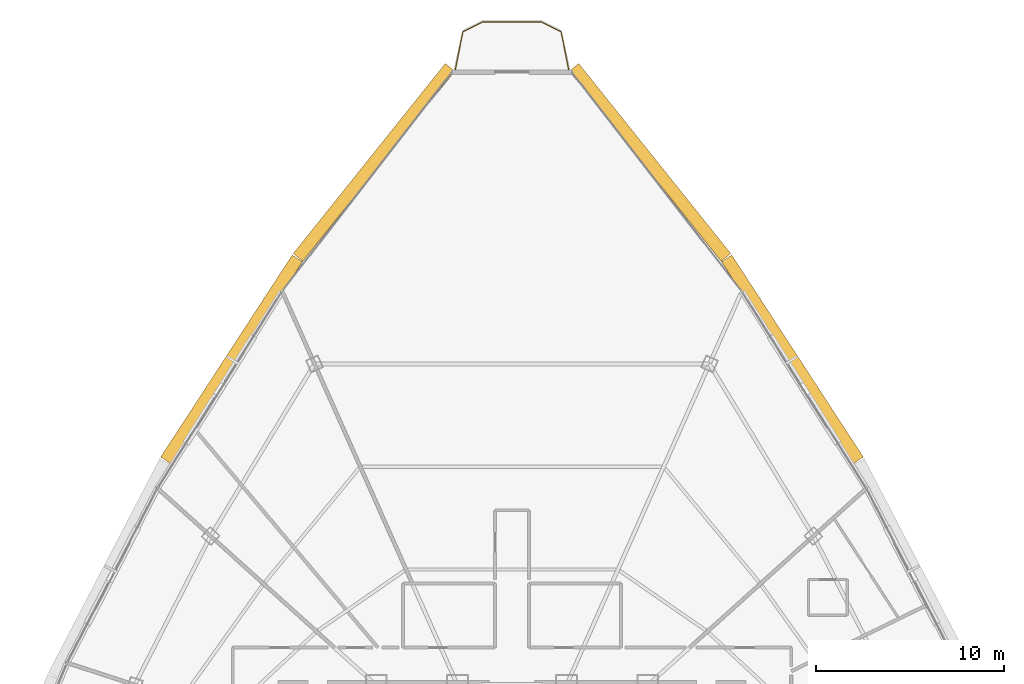
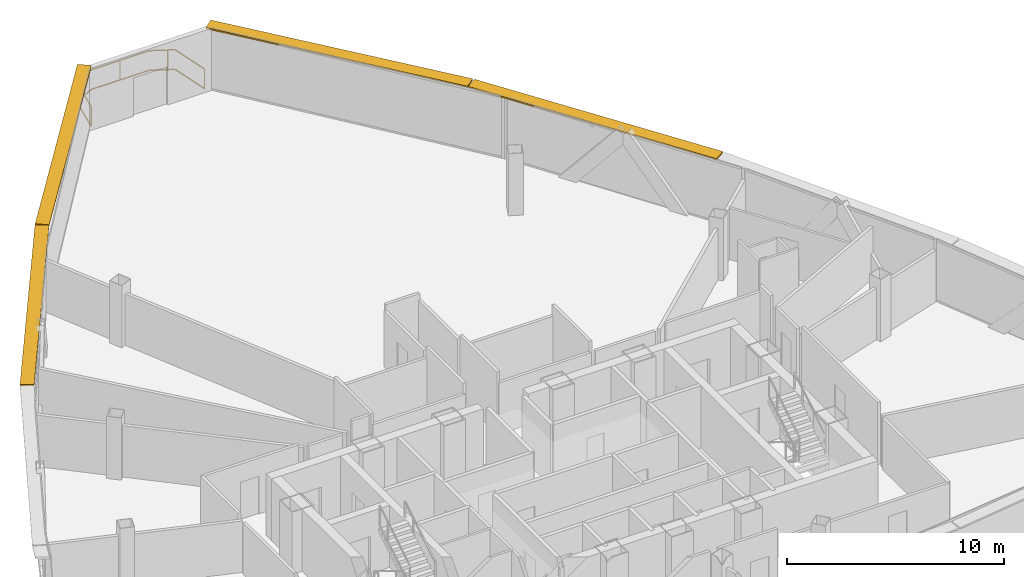
# One storey, part 33 of 33: 4 shading devices, 1 railing.
"""IFC4 building model written with IfcOpenShell, lengths in metres."""

import ifcopenshell
import ifcopenshell.guid

model = None  # the IFC model being written
_history = None  # IfcOwnerHistory: only IFC2X3 demands one
_inside = {}  # id of a spatial element -> (the spatial element, [elements in it])
_under = {}  # id of a project, library or spatial element -> (it, [spatial elements below it])
_declared = {}  # id of a project -> (the project, [libraries it declares])
_typed = {}  # id of a type object -> (the type object, [elements of that type])
_made_of = {}  # id of a material, layer set ... -> (it, [elements and type objects made of it])


def new_model(schema):
    """Start an empty IFC model of exactly this schema.

    Asked for "IFC4X3", IfcOpenShell would pick the latest addendum, in which some entities
    have other attributes; the version numbers below select the first issue.
    IFC2X3 requires an IfcOwnerHistory on every rooted entity: one is made here for all.
    """
    global model, _history
    if schema == "IFC4X3":
        model = ifcopenshell.file(schema_version=(4, 3, 0, 0))
    else:
        model = ifcopenshell.file(schema=schema)
    _inside.clear()
    _under.clear()
    _declared.clear()
    _typed.clear()
    _made_of.clear()
    _history = None
    if model.schema == "IFC2X3":
        org = make("IfcOrganization", Name="unknown")
        user = make(
            "IfcPersonAndOrganization",
            ThePerson=make("IfcPerson", FamilyName="unknown"),
            TheOrganization=org,
        )
        app = make(
            "IfcApplication",
            ApplicationDeveloper=org,
            Version="unknown",
            ApplicationFullName="unknown",
            ApplicationIdentifier="unknown",
        )
        _history = make(
            "IfcOwnerHistory",
            OwningUser=user,
            OwningApplication=app,
            ChangeAction="ADDED",
            CreationDate=0,
        )
    return model


def make(cls, **values):
    """One entity of the class cls with the attributes given. An attribute that is None is left unset."""
    return model.create_entity(
        cls, **{name: value for name, value in values.items() if value is not None}
    )


def rooted(cls, **values):
    """An entity with a GlobalId (a new one), such as an element, a storey or a relation."""
    return make(cls, GlobalId=ifcopenshell.guid.new(), OwnerHistory=_history, **values)


def si_unit(unit_type, name, prefix=None):
    """IfcSIUnit, for example si_unit("LENGTHUNIT", "METRE", prefix="MILLI")."""
    return make("IfcSIUnit", UnitType=unit_type, Prefix=prefix, Name=name)


def assignment(units):
    """IfcUnitAssignment: the units of a project."""
    return None if units is None else make("IfcUnitAssignment", Units=units)


def point(xyz):
    """IfcCartesianPoint."""
    return None if xyz is None else make("IfcCartesianPoint", Coordinates=xyz)


def direction(xyz):
    """IfcDirection."""
    return None if xyz is None else make("IfcDirection", DirectionRatios=xyz)


def frame(location, z_axis=None, x_axis=None):
    """IfcAxis2Placement3D, a coordinate frame: its origin and axes. An axis left out is left unset."""
    return make(
        "IfcAxis2Placement3D",
        Location=point(location),
        Axis=direction(z_axis),
        RefDirection=direction(x_axis),
    )


def frame_2d(location, x_axis=None):
    """IfcAxis2Placement2D, a coordinate frame in the plane: its origin and x axis."""
    return make(
        "IfcAxis2Placement2D", Location=point(location), RefDirection=direction(x_axis)
    )


def origin():
    """The frame at (0, 0, 0) with its axes left unset."""
    return frame((0.0, 0.0, 0.0))


def origin_2d():
    """The frame at (0, 0) in the plane with its x axis left unset."""
    return frame_2d((0.0, 0.0))


def place(relative_to, where):
    """IfcLocalPlacement: puts the frame where relative to a parent placement (None: the world)."""
    return make(
        "IfcLocalPlacement", PlacementRelTo=relative_to, RelativePlacement=where
    )


def context(
    kind, dimensions, precision=None, world=None, true_north=None, identifier=None
):
    """IfcGeometricRepresentationContext, for example the 3D "Model" context."""
    return make(
        "IfcGeometricRepresentationContext",
        ContextIdentifier=identifier,
        ContextType=kind,
        CoordinateSpaceDimension=dimensions,
        Precision=precision,
        WorldCoordinateSystem=world,
        TrueNorth=true_north,
    )


def subcontext(parent, identifier, kind, view, scale=None):
    """IfcGeometricRepresentationSubContext, for example "Body" below "Model"."""
    return make(
        "IfcGeometricRepresentationSubContext",
        ContextIdentifier=identifier,
        ContextType=kind,
        ParentContext=parent,
        TargetScale=scale,
        TargetView=view,
    )


def project(units=None, contexts=None):
    """IfcProject with its units and contexts."""
    return rooted(
        "IfcProject",
        Name="project",
        RepresentationContexts=contexts,
        UnitsInContext=assignment(units),
    )


def spatial(cls, under=None, at=None, **own):
    """A site, building, storey or space (cls), placed at a placement, below another one or the project."""
    s = rooted(cls, ObjectPlacement=at, **own)
    if under is not None:
        _under.setdefault(under.id(), (under, []))[1].append(s)
    return s


def profile(cls, at=None, kind="AREA", **sizes):
    """A parametric profile (cls). Its sizes go by their IFC names, for example OverallWidth=200.0."""
    return make(cls, ProfileType=kind, Position=at, **sizes)


def rectangle(**sizes):
    """IfcRectangleProfileDef."""
    return profile("IfcRectangleProfileDef", **sizes)


def extrude(swept, where, along, depth):
    """IfcExtrudedAreaSolid: the profile swept, set in the frame where, extruded along a direction by depth."""
    return make(
        "IfcExtrudedAreaSolid",
        SweptArea=swept,
        Position=where,
        ExtrudedDirection=direction(along),
        Depth=depth,
    )


def shape(context_of_items, identifier, shape_type, items):
    """IfcShapeRepresentation: the items that make up one representation, for example the "Body"."""
    return make(
        "IfcShapeRepresentation",
        ContextOfItems=context_of_items,
        RepresentationIdentifier=identifier,
        RepresentationType=shape_type,
        Items=items,
    )


def source(mapping_origin, context_of_items, identifier, shape_type, items):
    """IfcRepresentationMap: a shape defined once, which mapped items show again and again."""
    return make(
        "IfcRepresentationMap",
        MappingOrigin=mapping_origin,
        MappedRepresentation=shape(context_of_items, identifier, shape_type, items),
    )


def transform(
    local_origin,
    x_axis=None,
    y_axis=None,
    z_axis=None,
    scale=None,
    scale2=None,
    scale3=None,
    uniform=True,
):
    """IfcCartesianTransformationOperator3D, or its non-uniform kind. x_axis, y_axis, z_axis: its Axis1, 2, 3."""
    if uniform:
        return make(
            "IfcCartesianTransformationOperator3D",
            Axis1=direction(x_axis),
            Axis2=direction(y_axis),
            LocalOrigin=point(local_origin),
            Scale=scale,
            Axis3=direction(z_axis),
        )
    return make(
        "IfcCartesianTransformationOperator3DnonUniform",
        Axis1=direction(x_axis),
        Axis2=direction(y_axis),
        LocalOrigin=point(local_origin),
        Scale=scale,
        Axis3=direction(z_axis),
        Scale2=scale2,
        Scale3=scale3,
    )


def mapped(mapping_source, mapping_target):
    """IfcMappedItem: shows the shape of a source again, moved by a transform."""
    return make(
        "IfcMappedItem", MappingSource=mapping_source, MappingTarget=mapping_target
    )


def material(Name=None, Category=None):
    """IfcMaterial."""
    return make("IfcMaterial", Name=Name, Category=Category)


def layer(
    of_material, thickness, ventilated=None, Name=None, Category=None, Priority=None
):
    """IfcMaterialLayer: one layer of a wall or slab, of a material (None: an air gap)."""
    return make(
        "IfcMaterialLayer",
        Material=of_material,
        LayerThickness=thickness,
        IsVentilated=ventilated,
        Name=Name,
        Category=Category,
        Priority=Priority,
    )


def layer_set(layers, Name=None):
    """IfcMaterialLayerSet."""
    return make("IfcMaterialLayerSet", MaterialLayers=layers, LayerSetName=Name)


def made_of(thing, what):
    """Note that an element or type object is made of a material, layer set ...; save() writes the relation."""
    if what is not None:
        _made_of.setdefault(what.id(), (what, []))[1].append(thing)
    return thing


def type_object(cls, material=None, **own):
    """A type object (cls), such as IfcWallType, which elements share."""
    return made_of(rooted(cls, **own), material)


def element(
    cls,
    number,
    at=None,
    inside=None,
    cuts=None,
    type_object=None,
    material=None,
    context=None,
    identifier="Body",
    shape_type=None,
    held_by="IfcProductDefinitionShape",
    body=None,
    shapes=None,
    **own,
):
    """One element of the class cls, such as IfcWall. Its Tag is "e" and its number.

    at: its placement. inside: the storey or other place that contains it. cuts: it is an
    opening in that element (IfcRelVoidsElement). A single representation is given by context,
    identifier, shape_type and body (its items); several are given by shapes. held_by: the class
    of the entity that holds the representations. save() writes the other relations.
    """
    e = rooted(cls, Tag="e%d" % number, ObjectPlacement=at, **own)
    if body is not None:
        shapes = [shape(context, identifier, shape_type, body)]
    if shapes is not None:
        e.Representation = make(held_by, Representations=shapes)
    if inside is not None:
        _inside.setdefault(inside.id(), (inside, []))[1].append(e)
    if cuts is not None:
        rooted(
            "IfcRelVoidsElement", RelatingBuildingElement=cuts, RelatedOpeningElement=e
        )
    if type_object is not None:
        _typed.setdefault(type_object.id(), (type_object, []))[1].append(e)
    return made_of(e, material)


def aggregate(whole, parts):
    """IfcRelAggregates: a whole, such as a stair, and the parts it consists of."""
    return rooted("IfcRelAggregates", RelatingObject=whole, RelatedObjects=parts)


def save(model, path):
    """Write the relations noted so far, then the file.

    IfcRelAggregates (storeys below a building ...), IfcRelContainedInSpatialStructure (elements
    in a storey), IfcRelDefinesByType, IfcRelAssociatesMaterial and IfcRelDeclares: one each for
    every whole, place, type object, material and project.
    """
    for whole, parts in _under.values():
        aggregate(whole, parts)
    for where, things in _inside.values():
        rooted(
            "IfcRelContainedInSpatialStructure",
            RelatedElements=things,
            RelatingStructure=where,
        )
    for kind, things in _typed.values():
        rooted("IfcRelDefinesByType", RelatedObjects=things, RelatingType=kind)
    for what, things in _made_of.values():
        rooted("IfcRelAssociatesMaterial", RelatedObjects=things, RelatingMaterial=what)
    for by, libraries in _declared.values():
        rooted("IfcRelDeclares", RelatingContext=by, RelatedDefinitions=libraries)
    model.write(path)


model = new_model("IFC4")

# Units and contexts
model_context = context("Model", 3, precision=1e-05, world=origin(), true_north=direction((0.0, 1.0)))
body_context = subcontext(model_context, "Body", "Model", "MODEL_VIEW")
ifc_project = project(units=[si_unit("LENGTHUNIT", "METRE"), si_unit("AREAUNIT", "SQUARE_METRE"), si_unit("VOLUMEUNIT", "CUBIC_METRE"), si_unit("PLANEANGLEUNIT", "RADIAN"), si_unit("MASSUNIT", "GRAM", prefix="KILO"), si_unit("THERMODYNAMICTEMPERATUREUNIT", "KELVIN"), si_unit("POWERUNIT", "WATT")], contexts=[model_context])

# Site, building, storey
site_placement = place(None, origin())
site = spatial("IfcSite", under=ifc_project, at=site_placement, CompositionType="ELEMENT")
building_placement = place(site_placement, origin())
building = spatial("IfcBuilding", under=site, at=building_placement, Name="Yunzhuo Pagoda Commons", CompositionType="ELEMENT")
storey_placement = place(building_placement, frame((0.0, 0.0, 325.510009765625)))
storey = spatial("IfcBuildingStorey", under=building, at=storey_placement, Name="L81", CompositionType="ELEMENT", Elevation=325.510009765625)

# Railing
ifc_material = material(Name="Anodized aluminium 6063-T6", Category="aluminium")
railing_type = type_object("IfcRailingType", Name="RL-BAL1 Exterior Terrace & Balcony Balustrade 1150", PredefinedType="BALUSTRADE", material=ifc_material)
railing_placement = place(storey_placement, frame((51.013427734375, 72.913330078125, 0.0)))
element("IfcRailing", 1, at=railing_placement, inside=storey, type_object=railing_type, Name="L81 corner balcony balustrade V3", PredefinedType="BALUSTRADE", context=body_context, shape_type="SweptSolid", body=[
    extrude(rectangle(XDim=0.048095703125, YDim=0.048095703125, at=origin_2d()), frame((0.0, 0.0, 1.1259765625), z_axis=(-0.194200568098, 0.980961843983, 0.0), x_axis=(-0.980961843983, -0.194200568098, 0.0)), (0.0, 0.0, 1.0), 2.059326171875),
    extrude(rectangle(XDim=0.048095703125, YDim=0.048095703125, at=origin_2d()), frame((0.0, 0.0, 0.02392578125), z_axis=(-0.194200568098, 0.980961843983, 0.0), x_axis=(-0.980961843983, -0.194200568098, 0.0)), (0.0, 0.0, 1.0), 2.059326171875),
    extrude(rectangle(XDim=0.048095703125, YDim=0.048095703125, at=origin_2d()), frame((-0.39990234375, 2.02001953125, 1.1259765625), z_axis=(-0.895531310987, 0.444998506787, 0.0), x_axis=(-0.444998506787, -0.895531310987, 0.0)), (0.0, 0.0, 1.0), 1.191162109375),
    extrude(rectangle(XDim=0.048095703125, YDim=0.048095703125, at=origin_2d()), frame((-0.39990234375, 2.02001953125, 0.02392578125), z_axis=(-0.895531310987, 0.444998506787, 0.0), x_axis=(-0.444998506787, -0.895531310987, 0.0)), (0.0, 0.0, 1.0), 1.191162109375),
    extrude(rectangle(XDim=0.048095703125, YDim=0.048095703125, at=origin_2d()), frame((-1.466552734375, 2.550048828125, 1.1259765625), z_axis=(-1.0, 0.0, 0.0), x_axis=(0.0, -1.0, 0.0)), (0.0, 0.0, 1.0), 3.09375),
    extrude(rectangle(XDim=0.048095703125, YDim=0.048095703125, at=origin_2d()), frame((-1.466552734375, 2.550048828125, 0.02392578125), z_axis=(-1.0, 0.0, 0.0), x_axis=(0.0, -1.0, 0.0)), (0.0, 0.0, 1.0), 3.09375),
    extrude(rectangle(XDim=0.048095703125, YDim=0.048095703125, at=origin_2d()), frame((-4.560302734375, 2.550048828125, 1.1259765625), z_axis=(-0.895531310987, -0.444998506787, 0.0), x_axis=(0.444998506787, -0.895531310987, 0.0)), (0.0, 0.0, 1.0), 1.191162109375),
    extrude(rectangle(XDim=0.048095703125, YDim=0.048095703125, at=origin_2d()), frame((-4.560302734375, 2.550048828125, 0.02392578125), z_axis=(-0.895531310987, -0.444998506787, 0.0), x_axis=(0.444998506787, -0.895531310987, 0.0)), (0.0, 0.0, 1.0), 1.191162109375),
    extrude(rectangle(XDim=0.048095703125, YDim=0.048095703125, at=origin_2d()), frame((-5.626953125, 2.02001953125, 1.1259765625), z_axis=(-0.194200568098, -0.980961843983, 0.0), x_axis=(0.980961843983, -0.194200568098, 0.0)), (0.0, 0.0, 1.0), 2.059326171875),
    extrude(rectangle(XDim=0.048095703125, YDim=0.048095703125, at=origin_2d()), frame((-5.626953125, 2.02001953125, 0.02392578125), z_axis=(-0.194200568098, -0.980961843983, 0.0), x_axis=(0.980961843983, -0.194200568098, 0.0)), (0.0, 0.0, 1.0), 2.059326171875),
    extrude(rectangle(XDim=0.0419921875, YDim=0.0419921875, at=origin_2d()), origin(), (0.0, 0.0, 1.0), 1.101806640625),
    extrude(rectangle(XDim=0.0419921875, YDim=0.0419921875, at=origin_2d()), frame((-0.705078125, 2.171630859375, 0.0)), (0.0, 0.0, 1.0), 1.101806640625),
    extrude(rectangle(XDim=0.0419921875, YDim=0.0419921875, at=origin_2d()), frame((-3.016357421875, 2.550048828125, 0.0)), (0.0, 0.0, 1.0), 1.101806640625),
    extrude(rectangle(XDim=0.0419921875, YDim=0.0419921875, at=origin_2d()), frame((-5.326904296875, 2.169189453125, 0.0)), (0.0, 0.0, 1.0), 1.101806640625),
    extrude(rectangle(XDim=0.0419921875, YDim=0.0419921875, at=origin_2d()), frame((-6.02685546875, 0.0, 0.0)), (0.0, 0.0, 1.0), 1.101806640625),
])

# Shading devices
ifc_layer = layer(ifc_material, 0.080078125)
ifc_layer_set = layer_set([ifc_layer], Name="Anodized aluminium 6063-T6")
shading_device_type = type_object("IfcShadingDeviceType", Name="SH-SUN1 Pagoda Horizontal Sunshade Eave 650", PredefinedType="USERDEFINED", material=ifc_layer_set)
shared_shape_1 = source(origin(), body_context, "Body", "SweptSolid", [
    extrude(rectangle(XDim=12.942138671875, YDim=0.64990234375, at=origin_2d()), origin(), (0.0, 0.0, 1.0), 0.080078125),
])
for number, where, z_axis, x_axis, name in (
    (2, (55.334716796875, 67.99365234375, 3.409912109375), (0.0, 0.0, 1.0), (-0.624520471688, 0.781008438138, 0.0), "L81 horizontal pagoda sunshade eave F2.4"),
    (3, (40.665283203125, 67.99365234375, 3.409912109375), (0.0, 0.0, 1.0), (-0.624520471688, -0.781008438138, 0.0), "L81 horizontal pagoda sunshade eave F3.1"),
):
    element("IfcShadingDevice", number, at=place(storey_placement, frame(where, z_axis=z_axis, x_axis=x_axis)), inside=storey, type_object=shading_device_type, Name=name, ObjectType="SUNSHADE", PredefinedType="USERDEFINED", context=body_context, shape_type="MappedRepresentation", body=[
        mapped(shared_shape_1, transform((0.0, 0.0, 0.0), scale=1.0)),
    ])
shared_shape_2 = source(origin(), body_context, "Body", "SweptSolid", [
    extrude(rectangle(XDim=12.8193359375, YDim=0.64990234375, at=origin_2d()), origin(), (0.0, 0.0, 1.0), 0.080078125),
])
for number, where, z_axis, x_axis, name in (
    (4, (62.911865234375, 57.517822265625, 3.409912109375), (0.0, 0.0, 1.0), (-0.545853380833, 0.837880711458, 0.0), "L81 horizontal pagoda sunshade eave F2.3"),
    (5, (33.088134765625, 57.517822265625, 3.409912109375), (0.0, 0.0, 1.0), (-0.545853380833, -0.837880711458, 0.0), "L81 horizontal pagoda sunshade eave F3.2"),
):
    element("IfcShadingDevice", number, at=place(storey_placement, frame(where, z_axis=z_axis, x_axis=x_axis)), inside=storey, type_object=shading_device_type, Name=name, ObjectType="SUNSHADE", PredefinedType="USERDEFINED", context=body_context, shape_type="MappedRepresentation", body=[
        mapped(shared_shape_2, transform((0.0, 0.0, 0.0), scale=1.0)),
    ])

save(model, "model.ifc")
